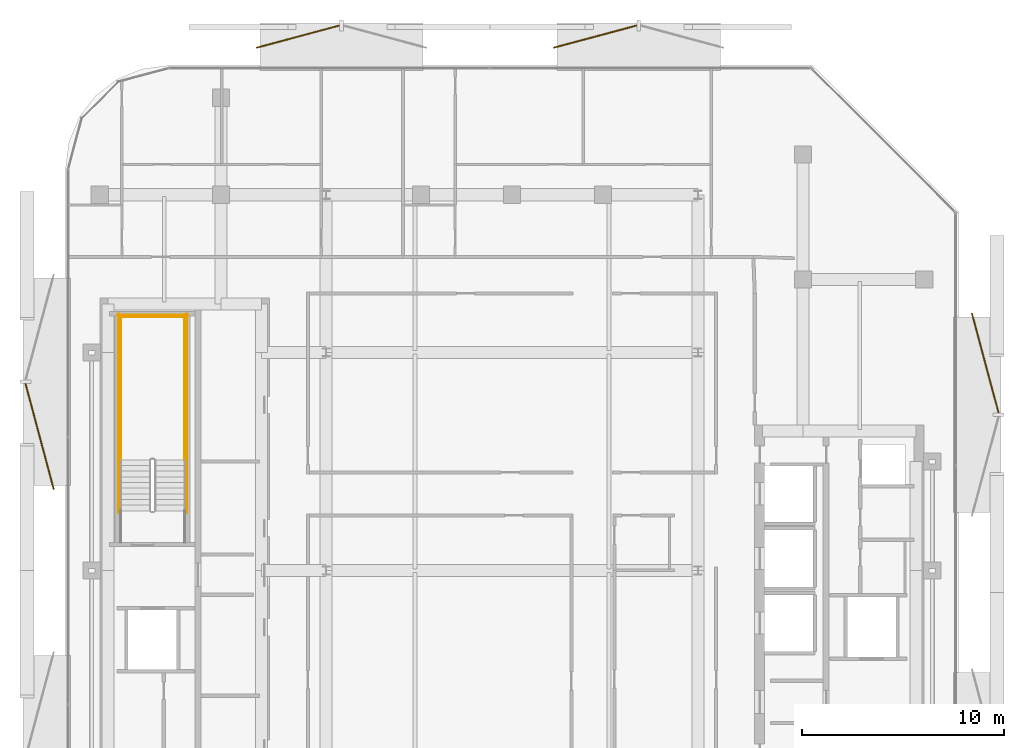
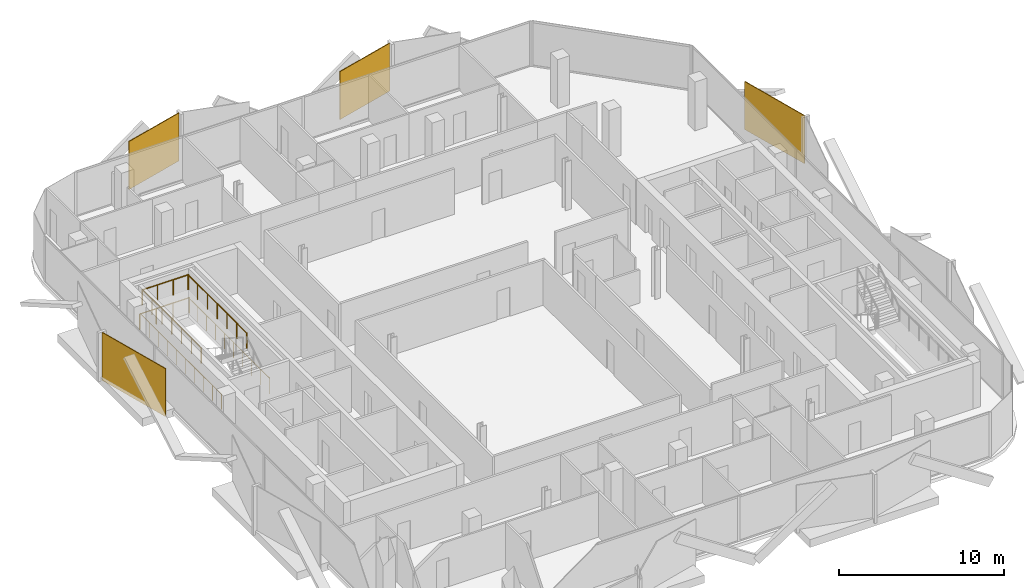
# One storey, part 15 of 15: 6 railings, 4 coverings.
"""IFC4 building model written with IfcOpenShell, lengths in metres."""

from ifc_helpers import new_model, si_unit, direction, frame, origin, origin_2d, place, context, subcontext, project, spatial, rectangle, circle, extrude, material, layer, layer_set, type_object, element, save


model = new_model("IFC4")

# Units and contexts
model_context = context("Model", 3, precision=1e-05, world=origin(), true_north=direction((0.0, 1.0)))
body_context = subcontext(model_context, "Body", "Model", "MODEL_VIEW")
ifc_project = project(units=[si_unit("LENGTHUNIT", "METRE"), si_unit("AREAUNIT", "SQUARE_METRE"), si_unit("VOLUMEUNIT", "CUBIC_METRE"), si_unit("PLANEANGLEUNIT", "RADIAN"), si_unit("MASSUNIT", "GRAM", prefix="KILO")], contexts=[model_context])

# Site, building, storey
site_placement = place(None, origin())
site = spatial("IfcSite", under=ifc_project, at=site_placement, CompositionType="ELEMENT")
building_placement = place(site_placement, origin())
building = spatial("IfcBuilding", under=site, at=building_placement, Name="Khairoan Windgate Tower", CompositionType="ELEMENT")
storey_placement = place(building_placement, frame((0.0, 0.0, 254.800048828125)))
storey = spatial("IfcBuildingStorey", under=building, at=storey_placement, Name="L60", CompositionType="ELEMENT", Elevation=254.800048828125)

# Coverings
ifc_material_1 = material(Name="Anodised Bronze Aluminium 6063-T6", Category="aluminium")
ifc_layer = layer(ifc_material_1, 0.054931640625, Name="Anodised Bronze Aluminium 6063-T6")
ifc_layer_set = layer_set([ifc_layer], Name="Anodised Bronze Aluminium 6063-T6")
covering_type = type_object("IfcCoveringType", Name="Perforated Bronze-Ceramic Folded Solar Screen Cladding BSC-1", PredefinedType="CLADDING", material=ifc_layer_set)
covering_1_placement = place(storey_placement, frame((-23.378662109375, 6.6376953125, -0.10009765625), z_axis=(0.0, 0.0, 1.0), x_axis=(-0.258819045103, 0.965925826289, 0.0)))
element("IfcCovering", 1, at=covering_1_placement, inside=storey, type_object=covering_type, Name="L60 Folded Bronze Solar Screen Facet 412L", PredefinedType="CLADDING", context=body_context, shape_type="SweptSolid", body=[
    extrude(rectangle(XDim=5.419921875, YDim=0.054931640625, at=origin_2d()), origin(), (0.0, 0.0, 1.0), 3.5400390625),
])
for number, where, z_axis, x_axis, name in (
    (2, (-10.58740234375, 26.427978515625, -0.10009765625), (0.0, 0.0, 1.0), (0.965925826289, 0.258819045103, 0.0), "L60 Folded Bronze Solar Screen Facet 413L"),
    (3, (4.118896484375, 26.427978515625, -0.10009765625), (0.0, 0.0, 1.0), (0.965925826289, 0.258819045103, 0.0), "L60 Folded Bronze Solar Screen Facet 414L"),
):
    element("IfcCovering", number, at=place(storey_placement, frame(where, z_axis=z_axis, x_axis=x_axis)), inside=storey, type_object=covering_type, Name=name, PredefinedType="CLADDING", context=body_context, shape_type="SweptSolid", body=[
        extrude(rectangle(XDim=4.264892578125, YDim=0.054931640625, at=origin_2d()), origin(), (0.0, 0.0, 1.0), 3.5400390625),
    ])
covering_2_placement = place(storey_placement, frame((23.419189453125, 10.27490234375, -0.10009765625), z_axis=(0.0, 0.0, 1.0), x_axis=(0.258819045103, -0.965925826289, 0.0)))
element("IfcCovering", 4, at=covering_2_placement, inside=storey, type_object=covering_type, Name="L60 Folded Bronze Solar Screen Facet 415L", PredefinedType="CLADDING", context=body_context, shape_type="SweptSolid", body=[
    extrude(rectangle(XDim=5.10595703125, YDim=0.054931640625, at=origin_2d()), origin(), (0.0, 0.0, 1.0), 3.5400390625),
])

# Railings
ifc_material_2 = material(Name="Steel S355", Category="steel")
railing_type = type_object("IfcRailingType", Name="Stairwell Safety Guardrail SGR-1150", PredefinedType="GUARDRAIL", material=ifc_material_2)
for number, where, name in (
    (5, (-16.199951171875, 5.47998046875, 1.800048828125), "L60 ST2 stair guard 3"),
    (6, (-19.3701171875, 5.47998046875, 1.800048828125), "L60 ST2 stair guard 4"),
):
    element("IfcRailing", number, at=place(storey_placement, frame(where)), inside=storey, type_object=railing_type, Name=name, PredefinedType="GUARDRAIL", context=body_context, shape_type="SweptSolid", body=[
        extrude(circle(Radius=0.02392578125, at=origin_2d()), frame((0.0, 0.0, 1.1259765625), z_axis=(0.0, 1.0, 0.0), x_axis=(-1.0, 0.0, 0.0)), (0.0, 0.0, 1.0), 7.1201171875),
        extrude(circle(Radius=0.02099609375, at=origin_2d()), origin(), (0.0, 0.0, 1.0), 1.101806640625),
        extrude(circle(Radius=0.02099609375, at=origin_2d()), frame((0.0, 1.186767578125, 0.0)), (0.0, 0.0, 1.0), 1.101806640625),
        extrude(circle(Radius=0.02099609375, at=origin_2d()), frame((0.0, 2.373291015625, 0.0)), (0.0, 0.0, 1.0), 1.101806640625),
        extrude(circle(Radius=0.02099609375, at=origin_2d()), frame((0.0, 3.56005859375, 0.0)), (0.0, 0.0, 1.0), 1.101806640625),
        extrude(circle(Radius=0.02099609375, at=origin_2d()), frame((0.0, 4.746826171875, 0.0)), (0.0, 0.0, 1.0), 1.101806640625),
        extrude(circle(Radius=0.02099609375, at=origin_2d()), frame((0.0, 5.933349609375, 0.0)), (0.0, 0.0, 1.0), 1.101806640625),
        extrude(circle(Radius=0.02099609375, at=origin_2d()), frame((0.0, 7.1201171875, 0.0)), (0.0, 0.0, 1.0), 1.101806640625),
    ])
railing_1_placement = place(storey_placement, frame((-16.14990234375, 12.550048828125, 1.800048828125)))
element("IfcRailing", 7, at=railing_1_placement, inside=storey, type_object=railing_type, Name="L60 ST2 stair guard 5", PredefinedType="GUARDRAIL", context=body_context, shape_type="SweptSolid", body=[
    extrude(circle(Radius=0.02392578125, at=origin_2d()), frame((0.0, 0.0, 1.1259765625), z_axis=(-1.0, 0.0, 0.0), x_axis=(0.0, -1.0, 0.0)), (0.0, 0.0, 1.0), 3.27001953125),
    extrude(circle(Radius=0.02099609375, at=origin_2d()), origin(), (0.0, 0.0, 1.0), 1.101806640625),
    extrude(circle(Radius=0.02099609375, at=origin_2d()), frame((-1.090087890625, 0.0, 0.0)), (0.0, 0.0, 1.0), 1.101806640625),
    extrude(circle(Radius=0.02099609375, at=origin_2d()), frame((-2.179931640625, 0.0, 0.0)), (0.0, 0.0, 1.0), 1.101806640625),
    extrude(circle(Radius=0.02099609375, at=origin_2d()), frame((-3.27001953125, 0.0, 0.0)), (0.0, 0.0, 1.0), 1.101806640625),
])
for number, where, name in (
    (8, (-16.10009765625, 2.860107421875, 0.0), "L60 ST2 stair guard 10"),
    (9, (-19.469970703125, 2.860107421875, 0.0), "L60 ST2 stair guard 11"),
):
    element("IfcRailing", number, at=place(storey_placement, frame(where)), inside=storey, type_object=railing_type, Name=name, PredefinedType="GUARDRAIL", context=body_context, shape_type="SweptSolid", body=[
        extrude(circle(Radius=0.02392578125, at=origin_2d()), frame((0.0, 0.0, 1.1259765625), z_axis=(0.0, 1.0, 0.0), x_axis=(-1.0, 0.0, 0.0)), (0.0, 0.0, 1.0), 9.83984375),
        extrude(circle(Radius=0.02099609375, at=origin_2d()), origin(), (0.0, 0.0, 1.0), 1.101806640625),
        extrude(circle(Radius=0.02099609375, at=origin_2d()), frame((0.0, 1.09326171875, 0.0)), (0.0, 0.0, 1.0), 1.101806640625),
        extrude(circle(Radius=0.02099609375, at=origin_2d()), frame((0.0, 2.1865234375, 0.0)), (0.0, 0.0, 1.0), 1.101806640625),
        extrude(circle(Radius=0.02099609375, at=origin_2d()), frame((0.0, 3.280029296875, 0.0)), (0.0, 0.0, 1.0), 1.101806640625),
        extrude(circle(Radius=0.02099609375, at=origin_2d()), frame((0.0, 4.373291015625, 0.0)), (0.0, 0.0, 1.0), 1.101806640625),
        extrude(circle(Radius=0.02099609375, at=origin_2d()), frame((0.0, 5.466552734375, 0.0)), (0.0, 0.0, 1.0), 1.101806640625),
        extrude(circle(Radius=0.02099609375, at=origin_2d()), frame((0.0, 6.559814453125, 0.0)), (0.0, 0.0, 1.0), 1.101806640625),
        extrude(circle(Radius=0.02099609375, at=origin_2d()), frame((0.0, 7.6533203125, 0.0)), (0.0, 0.0, 1.0), 1.101806640625),
        extrude(circle(Radius=0.02099609375, at=origin_2d()), frame((0.0, 8.74658203125, 0.0)), (0.0, 0.0, 1.0), 1.101806640625),
        extrude(circle(Radius=0.02099609375, at=origin_2d()), frame((0.0, 9.83984375, 0.0)), (0.0, 0.0, 1.0), 1.101806640625),
    ])
railing_2_placement = place(storey_placement, frame((-16.050048828125, 12.64990234375, 0.0)))
element("IfcRailing", 10, at=railing_2_placement, inside=storey, type_object=railing_type, Name="L60 ST2 stair guard 12", PredefinedType="GUARDRAIL", context=body_context, shape_type="SweptSolid", body=[
    extrude(circle(Radius=0.02392578125, at=origin_2d()), frame((0.0, 0.0, 1.1259765625), z_axis=(-1.0, 0.0, 0.0), x_axis=(0.0, -1.0, 0.0)), (0.0, 0.0, 1.0), 3.469970703125),
    extrude(circle(Radius=0.02099609375, at=origin_2d()), origin(), (0.0, 0.0, 1.0), 1.101806640625),
    extrude(circle(Radius=0.02099609375, at=origin_2d()), frame((-1.15673828125, 0.0, 0.0)), (0.0, 0.0, 1.0), 1.101806640625),
    extrude(circle(Radius=0.02099609375, at=origin_2d()), frame((-2.313232421875, 0.0, 0.0)), (0.0, 0.0, 1.0), 1.101806640625),
    extrude(circle(Radius=0.02099609375, at=origin_2d()), frame((-3.469970703125, 0.0, 0.0)), (0.0, 0.0, 1.0), 1.101806640625),
])

save(model, "model.ifc")
